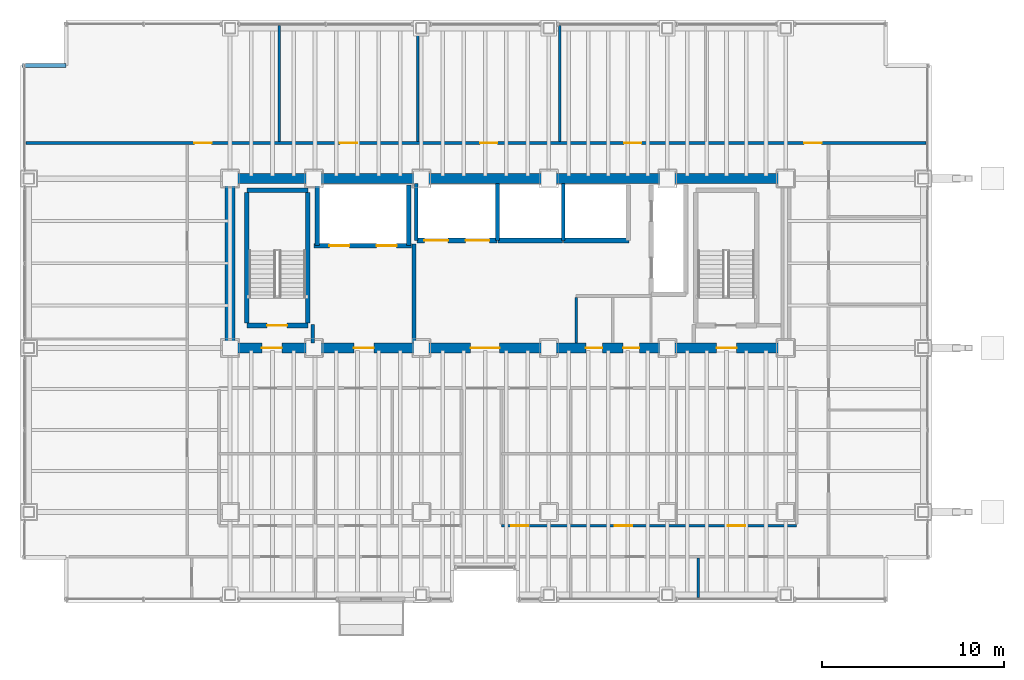
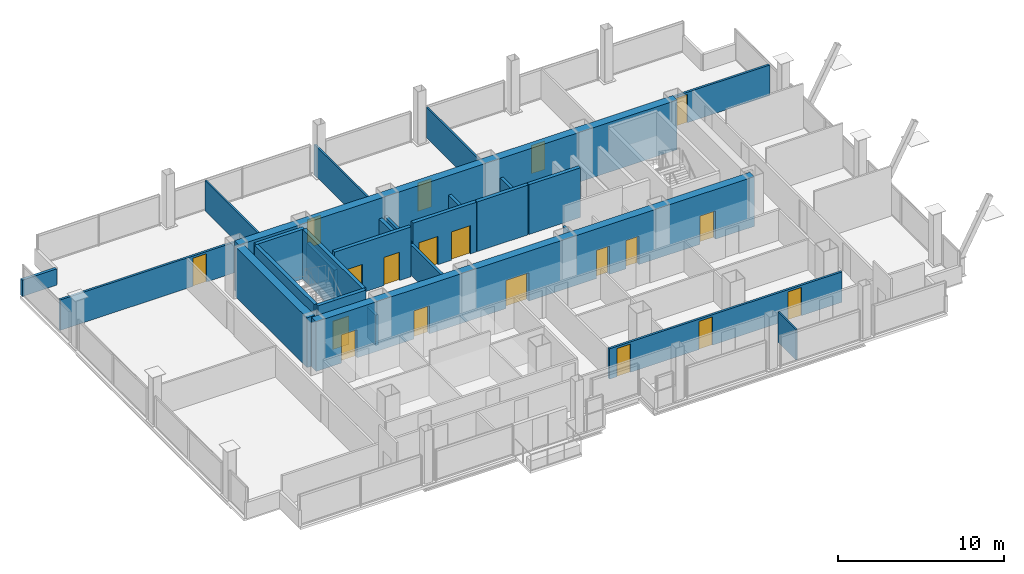
# One storey, part 19 of 21: 26 walls, 19 doors, 19 openings.
"""IFC4 building model written with IfcOpenShell, lengths in metres."""

from ifc_helpers import new_model, si_unit, direction, frame, frame_2d, origin, place, context, subcontext, project, spatial, rectangle, extrude, material, layer, layer_set, type_object, element, fill, save


model = new_model("IFC4")

# Units and contexts
model_context = context("Model", 3, precision=1e-05, world=origin(), true_north=direction((0.0, 1.0)))
body_context = subcontext(model_context, "Body", "Model", "MODEL_VIEW")
ifc_project = project(units=[si_unit("LENGTHUNIT", "METRE"), si_unit("AREAUNIT", "SQUARE_METRE"), si_unit("VOLUMEUNIT", "CUBIC_METRE"), si_unit("PLANEANGLEUNIT", "RADIAN"), si_unit("MASSUNIT", "GRAM", prefix="KILO")], contexts=[model_context])

# Site, building, storey
site_placement = place(None, origin())
site = spatial("IfcSite", under=ifc_project, at=site_placement, CompositionType="ELEMENT")
building_placement = place(site_placement, origin())
building = spatial("IfcBuilding", under=site, at=building_placement, Name="Noeulbin Bourse Tower", CompositionType="ELEMENT")
storey_placement = place(building_placement, frame((0.0, 0.0, 49.89990234375)))
storey = spatial("IfcBuildingStorey", under=building, at=storey_placement, Name="L12", CompositionType="ELEMENT", Elevation=49.89990234375)

# Wall, openings, doors
ifc_material_1 = material(Name="Concrete C60/75", Category="concrete")
ifc_layer_1 = layer(ifc_material_1, 0.550048828125)
ifc_layer_set_1 = layer_set([ifc_layer_1], Name="Concrete C60/75")
wall_type_1 = type_object("IfcWallType", Name="WAL-CORE-550", PredefinedType="SHEAR", material=ifc_layer_set_1)
wall_1_placement = place(storey_placement, frame((13.5, 29.0, 0.0), z_axis=(0.0, 0.0, 1.0), x_axis=(1.0, 0.0, 0.0)))
wall_1 = element("IfcWall", 1, at=wall_1_placement, inside=storey, type_object=wall_type_1, Name="Rear Core South Shear Wall L12", PredefinedType="SHEAR", context=body_context, shape_type="SweptSolid", body=[
    extrude(rectangle(XDim=30.5, YDim=0.550048828125, at=frame_2d((15.25, 0.0))), origin(), (0.0, 0.0, 1.0), 3.66015625),
])
opening_1_placement = place(wall_1_placement, frame((1.75, 0.0, 0.0)))
opening_1 = element("IfcOpeningElement", 2, at=opening_1_placement, cuts=wall_1, Name="Opening FD-11", PredefinedType="OPENING", context=body_context, shape_type="SweptSolid", body=[
    extrude(rectangle(XDim=1.10009765625, YDim=2.080078125, at=frame_2d((0.550048828125, 1.0400390625))), frame((0.0, 0.284912109375, 0.0), z_axis=(0.0, -1.0, 0.0), x_axis=(1.0, 0.0, 0.0)), (0.0, 0.0, 1.0), 0.570068359375),
])
opening_2_placement = place(wall_1_placement, frame((26.699951171875, 0.0, 0.0)))
opening_2 = element("IfcOpeningElement", 3, at=opening_2_placement, cuts=wall_1, Name="Opening FD-11", PredefinedType="OPENING", context=body_context, shape_type="SweptSolid", body=[
    extrude(rectangle(XDim=1.10009765625, YDim=2.080078125, at=frame_2d((0.550048828125, 1.0400390625))), frame((0.0, 0.284912109375, 0.0), z_axis=(0.0, -1.0, 0.0), x_axis=(1.0, 0.0, 0.0)), (0.0, 0.0, 1.0), 0.570068359375),
])
opening_3_placement = place(wall_1_placement, frame((6.800048828125, 0.0, 0.0)))
opening_3 = element("IfcOpeningElement", 4, at=opening_3_placement, cuts=wall_1, Name="Opening FD-11", PredefinedType="OPENING", context=body_context, shape_type="SweptSolid", body=[
    extrude(rectangle(XDim=1.10009765625, YDim=2.080078125, at=frame_2d((0.550048828125, 1.0400390625))), frame((0.0, 0.284912109375, 0.0), z_axis=(0.0, -1.0, 0.0), x_axis=(1.0, 0.0, 0.0)), (0.0, 0.0, 1.0), 0.570068359375),
])
opening_4_placement = place(wall_1_placement, frame((13.199951171875, 0.0, 0.0)))
opening_4 = element("IfcOpeningElement", 5, at=opening_4_placement, cuts=wall_1, Name="Opening ID-16", PredefinedType="OPENING", context=body_context, shape_type="SweptSolid", body=[
    extrude(rectangle(XDim=1.60009765625, YDim=2.080078125, at=frame_2d((0.800048828125, 1.0400390625))), frame((0.0, 0.284912109375, 0.0), z_axis=(0.0, -1.0, 0.0), x_axis=(1.0, 0.0, 0.0)), (0.0, 0.0, 1.0), 0.570068359375),
])
opening_5_placement = place(wall_1_placement, frame((19.530029296875, 0.0, 0.0)))
opening_5 = element("IfcOpeningElement", 6, at=opening_5_placement, cuts=wall_1, Name="Opening FD-09", PredefinedType="OPENING", context=body_context, shape_type="SweptSolid", body=[
    extrude(rectangle(XDim=0.89990234375, YDim=2.080078125, at=frame_2d((0.449951171875, 1.0400390625))), frame((0.0, 0.284912109375, 0.0), z_axis=(0.0, -1.0, 0.0), x_axis=(1.0, 0.0, 0.0)), (0.0, 0.0, 1.0), 0.570068359375),
])
opening_6_placement = place(wall_1_placement, frame((21.570068359375, 0.0, 0.0)))
opening_6 = element("IfcOpeningElement", 7, at=opening_6_placement, cuts=wall_1, Name="Opening FD-09", PredefinedType="OPENING", context=body_context, shape_type="SweptSolid", body=[
    extrude(rectangle(XDim=0.89990234375, YDim=2.080078125, at=frame_2d((0.449951171875, 1.0400390625))), frame((0.0, 0.284912109375, 0.0), z_axis=(0.0, -1.0, 0.0), x_axis=(1.0, 0.0, 0.0)), (0.0, 0.0, 1.0), 0.570068359375),
])
ifc_material_2 = material(Name="Acoustic Glazed Aluminium", Category="aluminium")
door_type_1 = type_object("IfcDoorType", Name="DR-DBL-1600", OperationType="DOUBLE_DOOR_SINGLE_SWING", PredefinedType="DOOR", material=ifc_material_2)
door_1_placement = place(opening_4_placement, origin())
door_1 = element("IfcDoor", 8, at=door_1_placement, inside=storey, type_object=door_type_1, Name="Passenger Lift Lobby Portal L12", OperationType="DOUBLE_DOOR_SINGLE_SWING", OverallHeight=2.080078125, OverallWidth=1.60009765625, PredefinedType="DOOR", context=body_context, shape_type="SweptSolid", body=[
    extrude(rectangle(XDim=1.60009765625, YDim=2.080078125, at=frame_2d((0.800048828125, 1.0400390625))), frame((0.0, 0.02490234375, 0.0), z_axis=(0.0, -1.0, 0.0), x_axis=(1.0, 0.0, 0.0)), (0.0, 0.0, 1.0), 0.050048828125),
])
fill(opening_4, door_1)
ifc_material_3 = material(Name="Fire-Rated Timber Core", Category="wood")
door_type_2 = type_object("IfcDoorType", Name="DR-FD30-900", OperationType="SINGLE_SWING_RIGHT", PredefinedType="DOOR", material=ifc_material_3)
door_2_placement = place(opening_5_placement, origin())
door_2 = element("IfcDoor", 9, at=door_2_placement, inside=storey, type_object=door_type_2, Name="Interior Door L12-05", OperationType="SINGLE_SWING_RIGHT", OverallHeight=2.080078125, OverallWidth=0.89990234375, PredefinedType="DOOR", context=body_context, shape_type="SweptSolid", body=[
    extrude(rectangle(XDim=0.89990234375, YDim=2.080078125, at=frame_2d((0.449951171875, 1.0400390625))), frame((0.0, 0.02490234375, 0.0), z_axis=(0.0, -1.0, 0.0), x_axis=(1.0, 0.0, 0.0)), (0.0, 0.0, 1.0), 0.050048828125),
])
fill(opening_5, door_2)
door_3_placement = place(opening_6_placement, origin())
door_3 = element("IfcDoor", 10, at=door_3_placement, inside=storey, type_object=door_type_2, Name="Interior Door L12-06", OperationType="SINGLE_SWING_LEFT", OverallHeight=2.080078125, OverallWidth=0.89990234375, PredefinedType="DOOR", context=body_context, shape_type="SweptSolid", body=[
    extrude(rectangle(XDim=0.89990234375, YDim=2.080078125, at=frame_2d((0.449951171875, 1.0400390625))), frame((0.0, 0.02490234375, 0.0), z_axis=(0.0, -1.0, 0.0), x_axis=(1.0, 0.0, 0.0)), (0.0, 0.0, 1.0), 0.050048828125),
])
fill(opening_6, door_3)
ifc_material_4 = material(Name="Fire-Rated Insulated Steel", Category="steel")
door_type_3 = type_object("IfcDoorType", Name="DR-FD60-1100", OperationType="SINGLE_SWING_LEFT", PredefinedType="DOOR", material=ifc_material_4)
door_4_placement = place(opening_1_placement, origin())
door_4 = element("IfcDoor", 11, at=door_4_placement, inside=storey, type_object=door_type_3, Name="West Stair Lobby Door L12", OperationType="SINGLE_SWING_RIGHT", OverallHeight=2.080078125, OverallWidth=1.10009765625, PredefinedType="DOOR", context=body_context, shape_type="SweptSolid", body=[
    extrude(rectangle(XDim=1.10009765625, YDim=2.080078125, at=frame_2d((0.550048828125, 1.0400390625))), frame((0.0, 0.02490234375, 0.0), z_axis=(0.0, -1.0, 0.0), x_axis=(1.0, 0.0, 0.0)), (0.0, 0.0, 1.0), 0.050048828125),
])
fill(opening_1, door_4)
door_5_placement = place(opening_2_placement, origin())
door_5 = element("IfcDoor", 12, at=door_5_placement, inside=storey, type_object=door_type_3, Name="East Stair Lobby Door L12", OperationType="SINGLE_SWING_LEFT", OverallHeight=2.080078125, OverallWidth=1.10009765625, PredefinedType="DOOR", context=body_context, shape_type="SweptSolid", body=[
    extrude(rectangle(XDim=1.10009765625, YDim=2.080078125, at=frame_2d((0.550048828125, 1.0400390625))), frame((0.0, 0.02490234375, 0.0), z_axis=(0.0, -1.0, 0.0), x_axis=(1.0, 0.0, 0.0)), (0.0, 0.0, 1.0), 0.050048828125),
])
fill(opening_2, door_5)
door_6_placement = place(opening_3_placement, origin())
door_6 = element("IfcDoor", 13, at=door_6_placement, inside=storey, type_object=door_type_3, Name="Firefighting Lobby Door L12", OperationType="SINGLE_SWING_RIGHT", OverallHeight=2.080078125, OverallWidth=1.10009765625, PredefinedType="DOOR", context=body_context, shape_type="SweptSolid", body=[
    extrude(rectangle(XDim=1.10009765625, YDim=2.080078125, at=frame_2d((0.550048828125, 1.0400390625))), frame((0.0, 0.02490234375, 0.0), z_axis=(0.0, -1.0, 0.0), x_axis=(1.0, 0.0, 0.0)), (0.0, 0.0, 1.0), 0.050048828125),
])
fill(opening_3, door_6)

# Walls
wall_2_placement = place(storey_placement, frame((13.5, 38.300048828125, 0.0), z_axis=(0.0, 0.0, 1.0), x_axis=(1.0, 0.0, 0.0)))
element("IfcWall", 14, at=wall_2_placement, inside=storey, type_object=wall_type_1, Name="Rear Core North Shear Wall L12", PredefinedType="SHEAR", context=body_context, shape_type="SweptSolid", body=[
    extrude(rectangle(XDim=30.5, YDim=0.550048828125, at=frame_2d((15.25, 0.0))), origin(), (0.0, 0.0, 1.0), 3.66015625),
])
wall_3_placement = place(storey_placement, frame((13.5, 29.35009765625, 0.0), z_axis=(0.0, 0.0, 1.0), x_axis=(0.0, 1.0, 0.0)))
element("IfcWall", 15, at=wall_3_placement, inside=storey, type_object=wall_type_1, Name="Rear Core West Shear Wall L12", PredefinedType="SHEAR", context=body_context, shape_type="SweptSolid", body=[
    extrude(rectangle(XDim=8.599853515625, YDim=0.550048828125, at=frame_2d((4.2998046875, 0.0))), origin(), (0.0, 0.0, 1.0), 3.66015625),
])
ifc_material_5 = material(Name="Concrete C40/50", Category="concrete")
ifc_layer_2 = layer(ifc_material_5, 0.199951171875)
ifc_layer_set_2 = layer_set([ifc_layer_2], Name="Concrete C40/50")
wall_type_2 = type_object("IfcWallType", Name="WAL-FIRE-200", PredefinedType="STANDARD", material=ifc_layer_set_2)
wall_4_placement = place(storey_placement, frame((18.050048828125, 29.284912109375, 0.0), z_axis=(0.0, 0.0, 1.0), x_axis=(0.0, 1.0, 0.0)))
element("IfcWall", 16, at=wall_4_placement, inside=storey, type_object=wall_type_2, Name="Interior Partition Wall L12-18", PredefinedType="STANDARD", context=body_context, shape_type="SweptSolid", body=[
    extrude(rectangle(XDim=1.01513671875, YDim=0.199951171875, at=frame_2d((0.507568359375, 0.0))), origin(), (0.0, 0.0, 1.0), 2.239990234375),
])
wall_5_placement = place(storey_placement, frame((23.60009765625, 29.284912109375, 0.0), z_axis=(0.0, 0.0, 1.0), x_axis=(0.0, 1.0, 0.0)))
element("IfcWall", 17, at=wall_5_placement, inside=storey, type_object=wall_type_2, Name="Interior Partition Wall L12-20", PredefinedType="STANDARD", context=body_context, shape_type="SweptSolid", body=[
    extrude(rectangle(XDim=5.4150390625, YDim=0.199951171875, at=frame_2d((2.70751953125, 0.0))), origin(), (0.0, 0.0, 1.0), 2.239990234375),
])
ifc_layer_3 = layer(ifc_material_5, 0.199951171875)
ifc_layer_set_3 = layer_set([ifc_layer_3], Name="Concrete C40/50")
wall_type_3 = type_object("IfcWallType", Name="WAL-PAR-200", PredefinedType="PARAPET", material=ifc_layer_set_3)
wall_6_placement = place(storey_placement, frame((2.10009765625, 44.5, 0.0), z_axis=(0.0, 0.0, 1.0), x_axis=(1.0, 0.0, 0.0)))
element("IfcWall", 18, at=wall_6_placement, inside=storey, type_object=wall_type_3, Name="Corner Notch Parapet L12-NW1", PredefinedType="PARAPET", context=body_context, shape_type="SweptSolid", body=[
    extrude(rectangle(XDim=2.39990234375, YDim=0.199951171875, at=frame_2d((1.199951171875, 0.0))), origin(), (0.0, 0.0, 1.0), 1.2001953125),
])
ifc_material_6 = material(Name="Steel Stud Gypsum Partition", Category="steel")
ifc_layer_4 = layer(ifc_material_6, 0.1201171875)
ifc_layer_set_4 = layer_set([ifc_layer_4], Name="Steel Stud Gypsum Partition")
wall_type_4 = type_object("IfcWallType", Name="WAL-PRT-120", PredefinedType="PARTITIONING", material=ifc_layer_set_4)
wall_7_placement = place(storey_placement, frame((39.199951171875, 15.31005859375, 0.0), z_axis=(0.0, 0.0, 1.0), x_axis=(0.0, 1.0, 0.0)))
element("IfcWall", 19, at=wall_7_placement, inside=storey, type_object=wall_type_4, Name="Interior Partition Wall L12-33", PredefinedType="PARTITIONING", context=body_context, shape_type="SweptSolid", body=[
    extrude(rectangle(XDim=2.155029296875, YDim=0.1201171875, at=frame_2d((1.07763671875, 0.0))), origin(), (0.0, 0.0, 1.0), 2.239990234375),
])
for number, where, z_axis, x_axis, name in (
    (20, (16.199951171875, 40.3349609375, 0.0), (0.0, 0.0, 1.0), (0.0, 1.0, 0.0), "Interior Partition Wall L12-39"),
    (21, (23.800048828125, 40.3349609375, 0.0), (0.0, 0.0, 1.0), (0.0, 1.0, 0.0), "Interior Partition Wall L12-40"),
    (22, (31.60009765625, 40.3349609375, 0.0), (0.0, 0.0, 1.0), (0.0, 1.0, 0.0), "Interior Partition Wall L12-41"),
):
    element("IfcWall", number, at=place(storey_placement, frame(where, z_axis=z_axis, x_axis=x_axis)), inside=storey, type_object=wall_type_4, Name=name, PredefinedType="PARTITIONING", context=body_context, shape_type="SweptSolid", body=[
        extrude(rectangle(XDim=6.35498046875, YDim=0.1201171875, at=frame_2d((3.177490234375, 0.0))), origin(), (0.0, 0.0, 1.0), 2.239990234375),
    ])

# Wall, openings, doors
ifc_material_7 = material(Name="Steel Stud Acoustic Gypsum Board", Category="steel")
ifc_layer_5 = layer(ifc_material_7, 0.14990234375)
ifc_layer_set_5 = layer_set([ifc_layer_5], Name="Steel Stud Acoustic Gypsum Board")
wall_type_5 = type_object("IfcWallType", Name="WAL-PRT-150", PredefinedType="PARTITIONING", material=ifc_layer_set_5)
wall_8_placement = place(storey_placement, frame((28.39990234375, 19.25, 0.0), z_axis=(0.0, 0.0, 1.0), x_axis=(1.0, 0.0, 0.0)))
wall_8 = element("IfcWall", 23, at=wall_8_placement, inside=storey, type_object=wall_type_5, Name="Interior Partition Wall L12-06", PredefinedType="PARTITIONING", context=body_context, shape_type="SweptSolid", body=[
    extrude(rectangle(XDim=16.2001953125, YDim=0.14990234375, at=frame_2d((8.10009765625, 0.0))), origin(), (0.0, 0.0, 1.0), 2.239990234375),
])
opening_7_placement = place(wall_8_placement, frame((0.52490234375, 0.0, 0.0)))
opening_7 = element("IfcOpeningElement", 24, at=opening_7_placement, cuts=wall_8, Name="Opening ID-09", PredefinedType="OPENING", context=body_context, shape_type="SweptSolid", body=[
    extrude(rectangle(XDim=0.949951171875, YDim=2.080078125, at=frame_2d((0.47509765625, 1.0400390625))), frame((0.0, 0.0849609375, 0.0), z_axis=(0.0, -1.0, 0.0), x_axis=(1.0, 0.0, 0.0)), (0.0, 0.0, 1.0), 0.169921875),
])
opening_8_placement = place(wall_8_placement, frame((6.22509765625, 0.0, 0.0)))
opening_8 = element("IfcOpeningElement", 25, at=opening_8_placement, cuts=wall_8, Name="Opening ID-09", PredefinedType="OPENING", context=body_context, shape_type="SweptSolid", body=[
    extrude(rectangle(XDim=0.949951171875, YDim=2.080078125, at=frame_2d((0.47509765625, 1.0400390625))), frame((0.0, 0.0849609375, 0.0), z_axis=(0.0, -1.0, 0.0), x_axis=(1.0, 0.0, 0.0)), (0.0, 0.0, 1.0), 0.169921875),
])
opening_9_placement = place(wall_8_placement, frame((12.425048828125, 0.0, 0.0)))
opening_9 = element("IfcOpeningElement", 26, at=opening_9_placement, cuts=wall_8, Name="Opening ID-09", PredefinedType="OPENING", context=body_context, shape_type="SweptSolid", body=[
    extrude(rectangle(XDim=0.949951171875, YDim=2.080078125, at=frame_2d((0.47509765625, 1.0400390625))), frame((0.0, 0.0849609375, 0.0), z_axis=(0.0, -1.0, 0.0), x_axis=(1.0, 0.0, 0.0)), (0.0, 0.0, 1.0), 0.169921875),
])
ifc_material_8 = material(Name="Acoustic Solid-Core Timber", Category="wood")
door_type_4 = type_object("IfcDoorType", Name="DR-SINGLE-950", OperationType="SINGLE_SWING_LEFT", PredefinedType="DOOR", material=ifc_material_8)
door_7_placement = place(opening_7_placement, origin())
door_7 = element("IfcDoor", 27, at=door_7_placement, inside=storey, type_object=door_type_4, Name="Interior Door L12-21", OperationType="SINGLE_SWING_RIGHT", OverallHeight=2.080078125, OverallWidth=0.949951171875, PredefinedType="DOOR", context=body_context, shape_type="SweptSolid", body=[
    extrude(rectangle(XDim=0.949951171875, YDim=2.080078125, at=frame_2d((0.47509765625, 1.0400390625))), frame((0.0, 0.02490234375, 0.0), z_axis=(0.0, -1.0, 0.0), x_axis=(1.0, 0.0, 0.0)), (0.0, 0.0, 1.0), 0.050048828125),
])
fill(opening_7, door_7)
door_8_placement = place(opening_8_placement, origin())
door_8 = element("IfcDoor", 28, at=door_8_placement, inside=storey, type_object=door_type_4, Name="Interior Door L12-23", OperationType="SINGLE_SWING_RIGHT", OverallHeight=2.080078125, OverallWidth=0.949951171875, PredefinedType="DOOR", context=body_context, shape_type="SweptSolid", body=[
    extrude(rectangle(XDim=0.949951171875, YDim=2.080078125, at=frame_2d((0.47509765625, 1.0400390625))), frame((0.0, 0.02490234375, 0.0), z_axis=(0.0, -1.0, 0.0), x_axis=(1.0, 0.0, 0.0)), (0.0, 0.0, 1.0), 0.050048828125),
])
fill(opening_8, door_8)
door_9_placement = place(opening_9_placement, origin())
door_9 = element("IfcDoor", 29, at=door_9_placement, inside=storey, type_object=door_type_4, Name="Interior Door L12-25", OperationType="SINGLE_SWING_RIGHT", OverallHeight=2.080078125, OverallWidth=0.949951171875, PredefinedType="DOOR", context=body_context, shape_type="SweptSolid", body=[
    extrude(rectangle(XDim=0.949951171875, YDim=2.080078125, at=frame_2d((0.47509765625, 1.0400390625))), frame((0.0, 0.02490234375, 0.0), z_axis=(0.0, -1.0, 0.0), x_axis=(1.0, 0.0, 0.0)), (0.0, 0.0, 1.0), 0.050048828125),
])
fill(opening_9, door_9)

wall_9_placement = place(storey_placement, frame((2.31005859375, 40.25, 0.0), z_axis=(0.0, 0.0, 1.0), x_axis=(1.0, 0.0, 0.0)))
wall_9 = element("IfcWall", 30, at=wall_9_placement, inside=storey, type_object=wall_type_5, Name="Interior Partition Wall L12-17", PredefinedType="PARTITIONING", context=body_context, shape_type="SweptSolid", body=[
    extrude(rectangle(XDim=49.3798828125, YDim=0.14990234375, at=frame_2d((24.68994140625, 0.0))), origin(), (0.0, 0.0, 1.0), 2.239990234375),
])
opening_10_placement = place(wall_9_placement, frame((9.22998046875, 0.0, 0.0)))
opening_10 = element("IfcOpeningElement", 31, at=opening_10_placement, cuts=wall_9, Name="Opening ID-09", PredefinedType="OPENING", context=body_context, shape_type="SweptSolid", body=[
    extrude(rectangle(XDim=0.949951171875, YDim=2.080078125, at=frame_2d((0.47509765625, 1.0400390625))), frame((0.0, 0.0849609375, 0.0), z_axis=(0.0, -1.0, 0.0), x_axis=(1.0, 0.0, 0.0)), (0.0, 0.0, 1.0), 0.169921875),
])
opening_11_placement = place(wall_9_placement, frame((17.215087890625, 0.0, 0.0)))
opening_11 = element("IfcOpeningElement", 32, at=opening_11_placement, cuts=wall_9, Name="Opening ID-09", PredefinedType="OPENING", context=body_context, shape_type="SweptSolid", body=[
    extrude(rectangle(XDim=0.949951171875, YDim=2.080078125, at=frame_2d((0.47509765625, 1.0400390625))), frame((0.0, 0.0849609375, 0.0), z_axis=(0.0, -1.0, 0.0), x_axis=(1.0, 0.0, 0.0)), (0.0, 0.0, 1.0), 0.169921875),
])
opening_12_placement = place(wall_9_placement, frame((24.9150390625, 0.0, 0.0)))
opening_12 = element("IfcOpeningElement", 33, at=opening_12_placement, cuts=wall_9, Name="Opening ID-09", PredefinedType="OPENING", context=body_context, shape_type="SweptSolid", body=[
    extrude(rectangle(XDim=0.949951171875, YDim=2.080078125, at=frame_2d((0.47509765625, 1.0400390625))), frame((0.0, 0.0849609375, 0.0), z_axis=(0.0, -1.0, 0.0), x_axis=(1.0, 0.0, 0.0)), (0.0, 0.0, 1.0), 0.169921875),
])
opening_13_placement = place(wall_9_placement, frame((32.81494140625, 0.0, 0.0)))
opening_13 = element("IfcOpeningElement", 34, at=opening_13_placement, cuts=wall_9, Name="Opening ID-09", PredefinedType="OPENING", context=body_context, shape_type="SweptSolid", body=[
    extrude(rectangle(XDim=0.949951171875, YDim=2.080078125, at=frame_2d((0.47509765625, 1.0400390625))), frame((0.0, 0.0849609375, 0.0), z_axis=(0.0, -1.0, 0.0), x_axis=(1.0, 0.0, 0.0)), (0.0, 0.0, 1.0), 0.169921875),
])
opening_14_placement = place(wall_9_placement, frame((42.699951171875, 0.0, 0.0)))
opening_14 = element("IfcOpeningElement", 35, at=opening_14_placement, cuts=wall_9, Name="Opening ID-09", PredefinedType="OPENING", context=body_context, shape_type="SweptSolid", body=[
    extrude(rectangle(XDim=0.949951171875, YDim=2.080078125, at=frame_2d((0.47509765625, 1.0400390625))), frame((0.0, 0.0849609375, 0.0), z_axis=(0.0, -1.0, 0.0), x_axis=(1.0, 0.0, 0.0)), (0.0, 0.0, 1.0), 0.169921875),
])
door_10_placement = place(opening_10_placement, origin())
door_10 = element("IfcDoor", 36, at=door_10_placement, inside=storey, type_object=door_type_4, Name="Interior Door L12-32", OperationType="SINGLE_SWING_LEFT", OverallHeight=2.080078125, OverallWidth=0.949951171875, PredefinedType="DOOR", context=body_context, shape_type="SweptSolid", body=[
    extrude(rectangle(XDim=0.949951171875, YDim=2.080078125, at=frame_2d((0.47509765625, 1.0400390625))), frame((0.0, 0.02490234375, 0.0), z_axis=(0.0, -1.0, 0.0), x_axis=(1.0, 0.0, 0.0)), (0.0, 0.0, 1.0), 0.050048828125),
])
fill(opening_10, door_10)
door_11_placement = place(opening_11_placement, origin())
door_11 = element("IfcDoor", 37, at=door_11_placement, inside=storey, type_object=door_type_4, Name="Interior Door L12-33", OperationType="SINGLE_SWING_RIGHT", OverallHeight=2.080078125, OverallWidth=0.949951171875, PredefinedType="DOOR", context=body_context, shape_type="SweptSolid", body=[
    extrude(rectangle(XDim=0.949951171875, YDim=2.080078125, at=frame_2d((0.47509765625, 1.0400390625))), frame((0.0, 0.02490234375, 0.0), z_axis=(0.0, -1.0, 0.0), x_axis=(1.0, 0.0, 0.0)), (0.0, 0.0, 1.0), 0.050048828125),
])
fill(opening_11, door_11)
door_12_placement = place(opening_12_placement, origin())
door_12 = element("IfcDoor", 38, at=door_12_placement, inside=storey, type_object=door_type_4, Name="Interior Door L12-34", OperationType="SINGLE_SWING_LEFT", OverallHeight=2.080078125, OverallWidth=0.949951171875, PredefinedType="DOOR", context=body_context, shape_type="SweptSolid", body=[
    extrude(rectangle(XDim=0.949951171875, YDim=2.080078125, at=frame_2d((0.47509765625, 1.0400390625))), frame((0.0, 0.02490234375, 0.0), z_axis=(0.0, -1.0, 0.0), x_axis=(1.0, 0.0, 0.0)), (0.0, 0.0, 1.0), 0.050048828125),
])
fill(opening_12, door_12)
door_13_placement = place(opening_13_placement, origin())
door_13 = element("IfcDoor", 39, at=door_13_placement, inside=storey, type_object=door_type_4, Name="Interior Door L12-35", OperationType="SINGLE_SWING_RIGHT", OverallHeight=2.080078125, OverallWidth=0.949951171875, PredefinedType="DOOR", context=body_context, shape_type="SweptSolid", body=[
    extrude(rectangle(XDim=0.949951171875, YDim=2.080078125, at=frame_2d((0.47509765625, 1.0400390625))), frame((0.0, 0.02490234375, 0.0), z_axis=(0.0, -1.0, 0.0), x_axis=(1.0, 0.0, 0.0)), (0.0, 0.0, 1.0), 0.050048828125),
])
fill(opening_13, door_13)
door_14_placement = place(opening_14_placement, origin())
door_14 = element("IfcDoor", 40, at=door_14_placement, inside=storey, type_object=door_type_4, Name="Interior Door L12-36", OperationType="SINGLE_SWING_LEFT", OverallHeight=2.080078125, OverallWidth=0.949951171875, PredefinedType="DOOR", context=body_context, shape_type="SweptSolid", body=[
    extrude(rectangle(XDim=0.949951171875, YDim=2.080078125, at=frame_2d((0.47509765625, 1.0400390625))), frame((0.0, 0.02490234375, 0.0), z_axis=(0.0, -1.0, 0.0), x_axis=(1.0, 0.0, 0.0)), (0.0, 0.0, 1.0), 0.050048828125),
])
fill(opening_14, door_14)

# Wall
wall_10_placement = place(storey_placement, frame((32.5, 29.284912109375, 0.0), z_axis=(0.0, 0.0, 1.0), x_axis=(0.0, 1.0, 0.0)))
element("IfcWall", 41, at=wall_10_placement, inside=storey, type_object=wall_type_5, Name="Interior Partition Wall L12-21", PredefinedType="PARTITIONING", context=body_context, shape_type="SweptSolid", body=[
    extrude(rectangle(XDim=2.47998046875, YDim=0.14990234375, at=frame_2d((1.239990234375, 0.0))), origin(), (0.0, 0.0, 1.0), 2.239990234375),
])

# Wall, opening, door
ifc_layer_6 = layer(ifc_material_5, 0.25)
ifc_layer_set_6 = layer_set([ifc_layer_6], Name="Concrete C40/50")
wall_type_6 = type_object("IfcWallType", Name="WAL-SHFT-250", PredefinedType="STANDARD", material=ifc_layer_set_6)
wall_11_placement = place(storey_placement, frame((14.429931640625, 30.235107421875, 0.0), z_axis=(0.0, 0.0, 1.0), x_axis=(1.0, 0.0, 0.0)))
wall_11 = element("IfcWall", 42, at=wall_11_placement, inside=storey, type_object=wall_type_6, Name="Stair ST-1 South Shaft Wall L12", PredefinedType="STANDARD", context=body_context, shape_type="SweptSolid", body=[
    extrude(rectangle(XDim=3.340087890625, YDim=0.25, at=frame_2d((1.669921875, 0.0))), origin(), (0.0, 0.0, 1.0), 3.66015625),
])
opening_15_placement = place(wall_11_placement, frame((1.10009765625, 0.0, 0.0)))
opening_15 = element("IfcOpeningElement", 43, at=opening_15_placement, cuts=wall_11, Name="Opening FD-11", PredefinedType="OPENING", context=body_context, shape_type="SweptSolid", body=[
    extrude(rectangle(XDim=1.10009765625, YDim=2.080078125, at=frame_2d((0.550048828125, 1.0400390625))), frame((0.0, 0.135009765625, 0.0), z_axis=(0.0, -1.0, 0.0), x_axis=(1.0, 0.0, 0.0)), (0.0, 0.0, 1.0), 0.27001953125),
])
door_15_placement = place(opening_15_placement, origin())
door_15 = element("IfcDoor", 44, at=door_15_placement, inside=storey, type_object=door_type_3, Name="Protected Stair Entry Door ST1-L12", OperationType="SINGLE_SWING_RIGHT", OverallHeight=2.080078125, OverallWidth=1.10009765625, PredefinedType="DOOR", context=body_context, shape_type="SweptSolid", body=[
    extrude(rectangle(XDim=1.10009765625, YDim=2.080078125, at=frame_2d((0.550048828125, 1.0400390625))), frame((0.0, 0.02490234375, 0.0), z_axis=(0.0, -1.0, 0.0), x_axis=(1.0, 0.0, 0.0)), (0.0, 0.0, 1.0), 0.050048828125),
])
fill(opening_15, door_15)

# Walls
wall_12_placement = place(storey_placement, frame((14.429931640625, 37.6689453125, 0.0), z_axis=(0.0, 0.0, 1.0), x_axis=(1.0, 0.0, 0.0)))
element("IfcWall", 45, at=wall_12_placement, inside=storey, type_object=wall_type_6, Name="Stair ST-1 North Shaft Wall L12", PredefinedType="STANDARD", context=body_context, shape_type="SweptSolid", body=[
    extrude(rectangle(XDim=3.340087890625, YDim=0.25, at=frame_2d((1.669921875, 0.0))), origin(), (0.0, 0.0, 1.0), 3.66015625),
])
for number, where, z_axis, x_axis, name in (
    (46, (14.425048828125, 30.360107421875, 0.0), (0.0, 0.0, 1.0), (0.0, 1.0, 0.0), "Stair ST-1 West Shaft Wall L12"),
    (47, (17.77490234375, 30.360107421875, 0.0), (0.0, 0.0, 1.0), (0.0, 1.0, 0.0), "Stair ST-1 East Shaft Wall L12"),
):
    element("IfcWall", number, at=place(storey_placement, frame(where, z_axis=z_axis, x_axis=x_axis)), inside=storey, type_object=wall_type_6, Name=name, PredefinedType="STANDARD", context=body_context, shape_type="SweptSolid", body=[
        extrude(rectangle(XDim=7.183837890625, YDim=0.25, at=frame_2d((3.591796875, 0.0))), origin(), (0.0, 0.0, 1.0), 3.66015625),
    ])

# Wall, openings, doors
wall_13_placement = place(storey_placement, frame((18.10009765625, 34.6201171875, 0.0), z_axis=(0.0, 0.0, 1.0), x_axis=(1.0, 0.0, 0.0)))
wall_13 = element("IfcWall", 48, at=wall_13_placement, inside=storey, type_object=wall_type_6, Name="Firefighting Lift Shaft Front L12", PredefinedType="STANDARD", context=body_context, shape_type="SweptSolid", body=[
    extrude(rectangle(XDim=5.349853515625, YDim=0.25, at=frame_2d((2.6748046875, 0.0))), origin(), (0.0, 0.0, 1.0), 3.66015625),
])
opening_16_placement = place(wall_13_placement, frame((0.85009765625, 0.0, 0.0)))
opening_16 = element("IfcOpeningElement", 49, at=opening_16_placement, cuts=wall_13, Name="Opening LD-11", PredefinedType="OPENING", context=body_context, shape_type="SweptSolid", body=[
    extrude(rectangle(XDim=1.10009765625, YDim=2.080078125, at=frame_2d((0.550048828125, 1.0400390625))), frame((0.0, 0.135009765625, 0.0), z_axis=(0.0, -1.0, 0.0), x_axis=(1.0, 0.0, 0.0)), (0.0, 0.0, 1.0), 0.27001953125),
])
opening_17_placement = place(wall_13_placement, frame((3.449951171875, 0.0, 0.0)))
opening_17 = element("IfcOpeningElement", 50, at=opening_17_placement, cuts=wall_13, Name="Opening LD-11", PredefinedType="OPENING", context=body_context, shape_type="SweptSolid", body=[
    extrude(rectangle(XDim=1.10009765625, YDim=2.080078125, at=frame_2d((0.550048828125, 1.0400390625))), frame((0.0, 0.135009765625, 0.0), z_axis=(0.0, -1.0, 0.0), x_axis=(1.0, 0.0, 0.0)), (0.0, 0.0, 1.0), 0.27001953125),
])
ifc_material_9 = material(Name="Brushed Stainless Steel 316", Category="steel")
door_type_5 = type_object("IfcDoorType", Name="DR-LIFT-1100", OperationType="SLIDING_TO_LEFT", PredefinedType="DOOR", material=ifc_material_9)
door_16_placement = place(opening_16_placement, origin())
door_16 = element("IfcDoor", 51, at=door_16_placement, inside=storey, type_object=door_type_5, Name="Lift Landing Door LD-FL-01-L12", OperationType="SLIDING_TO_LEFT", OverallHeight=2.080078125, OverallWidth=1.10009765625, PredefinedType="DOOR", context=body_context, shape_type="SweptSolid", body=[
    extrude(rectangle(XDim=1.10009765625, YDim=2.080078125, at=frame_2d((0.550048828125, 1.0400390625))), frame((0.0, 0.02490234375, 0.0), z_axis=(0.0, -1.0, 0.0), x_axis=(1.0, 0.0, 0.0)), (0.0, 0.0, 1.0), 0.050048828125),
])
fill(opening_16, door_16)
door_17_placement = place(opening_17_placement, origin())
door_17 = element("IfcDoor", 52, at=door_17_placement, inside=storey, type_object=door_type_5, Name="Lift Landing Door LD-FL-02-L12", OperationType="SLIDING_TO_LEFT", OverallHeight=2.080078125, OverallWidth=1.10009765625, PredefinedType="DOOR", context=body_context, shape_type="SweptSolid", body=[
    extrude(rectangle(XDim=1.10009765625, YDim=2.080078125, at=frame_2d((0.550048828125, 1.0400390625))), frame((0.0, 0.02490234375, 0.0), z_axis=(0.0, -1.0, 0.0), x_axis=(1.0, 0.0, 0.0)), (0.0, 0.0, 1.0), 0.050048828125),
])
fill(opening_17, door_17)

# Walls
for number, where, z_axis, x_axis, name in (
    (53, (18.280029296875, 34.6201171875, 0.0), (0.0, 0.0, 1.0), (0.0, 1.0, 0.0), "Firefighting Lift West Shaft Wall L12"),
    (54, (23.320068359375, 34.6201171875, 0.0), (0.0, 0.0, 1.0), (0.0, 1.0, 0.0), "Firefighting Lift East Shaft Wall L12"),
):
    element("IfcWall", number, at=place(storey_placement, frame(where, z_axis=z_axis, x_axis=x_axis)), inside=storey, type_object=wall_type_6, Name=name, PredefinedType="STANDARD", context=body_context, shape_type="SweptSolid", body=[
        extrude(rectangle(XDim=3.329833984375, YDim=0.25, at=frame_2d((1.6650390625, 0.0))), origin(), (0.0, 0.0, 1.0), 2.239990234375),
    ])

# Wall, openings, doors
wall_14_placement = place(storey_placement, frame((23.75, 34.89990234375, 0.0), z_axis=(0.0, 0.0, 1.0), x_axis=(1.0, 0.0, 0.0)))
wall_14 = element("IfcWall", 55, at=wall_14_placement, inside=storey, type_object=wall_type_6, Name="Low-Rise Lift Bank Front L12", PredefinedType="STANDARD", context=body_context, shape_type="SweptSolid", body=[
    extrude(rectangle(XDim=4.39990234375, YDim=0.25, at=frame_2d((2.199951171875, 0.0))), origin(), (0.0, 0.0, 1.0), 3.66015625),
])
opening_18_placement = place(wall_14_placement, frame((0.419921875, 0.0, 0.0)))
opening_18 = element("IfcOpeningElement", 56, at=opening_18_placement, cuts=wall_14, Name="Opening LD-13", PredefinedType="OPENING", context=body_context, shape_type="SweptSolid", body=[
    extrude(rectangle(XDim=1.300048828125, YDim=2.080078125, at=frame_2d((0.64990234375, 1.0400390625))), frame((0.0, 0.135009765625, 0.0), z_axis=(0.0, -1.0, 0.0), x_axis=(1.0, 0.0, 0.0)), (0.0, 0.0, 1.0), 0.27001953125),
])
opening_19_placement = place(wall_14_placement, frame((2.679931640625, 0.0, 0.0)))
opening_19 = element("IfcOpeningElement", 57, at=opening_19_placement, cuts=wall_14, Name="Opening LD-13", PredefinedType="OPENING", context=body_context, shape_type="SweptSolid", body=[
    extrude(rectangle(XDim=1.300048828125, YDim=2.080078125, at=frame_2d((0.64990234375, 1.0400390625))), frame((0.0, 0.135009765625, 0.0), z_axis=(0.0, -1.0, 0.0), x_axis=(1.0, 0.0, 0.0)), (0.0, 0.0, 1.0), 0.27001953125),
])
door_type_6 = type_object("IfcDoorType", Name="DR-LIFT-1300", OperationType="DOUBLE_DOOR_SLIDING", PredefinedType="DOOR", material=ifc_material_9)
door_18_placement = place(opening_18_placement, origin())
door_18 = element("IfcDoor", 58, at=door_18_placement, inside=storey, type_object=door_type_6, Name="Lift Landing Door LD-PL-L1-L12", OperationType="DOUBLE_DOOR_SLIDING", OverallHeight=2.080078125, OverallWidth=1.300048828125, PredefinedType="DOOR", context=body_context, shape_type="SweptSolid", body=[
    extrude(rectangle(XDim=1.300048828125, YDim=2.080078125, at=frame_2d((0.64990234375, 1.0400390625))), frame((0.0, 0.02490234375, 0.0), z_axis=(0.0, -1.0, 0.0), x_axis=(1.0, 0.0, 0.0)), (0.0, 0.0, 1.0), 0.050048828125),
])
fill(opening_18, door_18)
door_19_placement = place(opening_19_placement, origin())
door_19 = element("IfcDoor", 59, at=door_19_placement, inside=storey, type_object=door_type_6, Name="Lift Landing Door LD-PL-L2-L12", OperationType="DOUBLE_DOOR_SLIDING", OverallHeight=2.080078125, OverallWidth=1.300048828125, PredefinedType="DOOR", context=body_context, shape_type="SweptSolid", body=[
    extrude(rectangle(XDim=1.300048828125, YDim=2.080078125, at=frame_2d((0.64990234375, 1.0400390625))), frame((0.0, 0.02490234375, 0.0), z_axis=(0.0, -1.0, 0.0), x_axis=(1.0, 0.0, 0.0)), (0.0, 0.0, 1.0), 0.050048828125),
])
fill(opening_19, door_19)

# Walls
wall_15_placement = place(storey_placement, frame((28.199951171875, 34.89990234375, 0.0), z_axis=(0.0, 0.0, 1.0), x_axis=(1.0, 0.0, 0.0)))
element("IfcWall", 60, at=wall_15_placement, inside=storey, type_object=wall_type_6, Name="Mid-Rise Lift Bank Front L12", PredefinedType="STANDARD", context=body_context, shape_type="SweptSolid", body=[
    extrude(rectangle(XDim=3.550048828125, YDim=0.25, at=frame_2d((1.77490234375, 0.0))), origin(), (0.0, 0.0, 1.0), 3.66015625),
])
wall_16_placement = place(storey_placement, frame((31.800048828125, 34.89990234375, 0.0), z_axis=(0.0, 0.0, 1.0), x_axis=(1.0, 0.0, 0.0)))
element("IfcWall", 61, at=wall_16_placement, inside=storey, type_object=wall_type_6, Name="High-Rise Lift Bank Front L12", PredefinedType="STANDARD", context=body_context, shape_type="SweptSolid", body=[
    extrude(rectangle(XDim=3.599853515625, YDim=0.25, at=frame_2d((1.7998046875, 0.0))), origin(), (0.0, 0.0, 1.0), 3.66015625),
])
for number, where, z_axis, x_axis, name in (
    (62, (23.719970703125, 34.89990234375, 0.0), (0.0, 0.0, 1.0), (0.0, 1.0, 0.0), "Hoistway Side Shaft Wall L12-PLLW"),
    (63, (28.179931640625, 34.89990234375, 0.0), (0.0, 0.0, 1.0), (0.0, 1.0, 0.0), "Hoistway Side Shaft Wall L12-PLMW"),
    (64, (31.780029296875, 34.89990234375, 0.0), (0.0, 0.0, 1.0), (0.0, 1.0, 0.0), "Hoistway Side Shaft Wall L12-PLHW"),
):
    element("IfcWall", number, at=place(storey_placement, frame(where, z_axis=z_axis, x_axis=x_axis)), inside=storey, type_object=wall_type_6, Name=name, PredefinedType="STANDARD", context=body_context, shape_type="SweptSolid", body=[
        extrude(rectangle(XDim=3.1201171875, YDim=0.199951171875, at=frame_2d((1.56005859375, 0.0))), origin(), (0.0, 0.0, 1.0), 2.239990234375),
    ])

save(model, "model.ifc")
